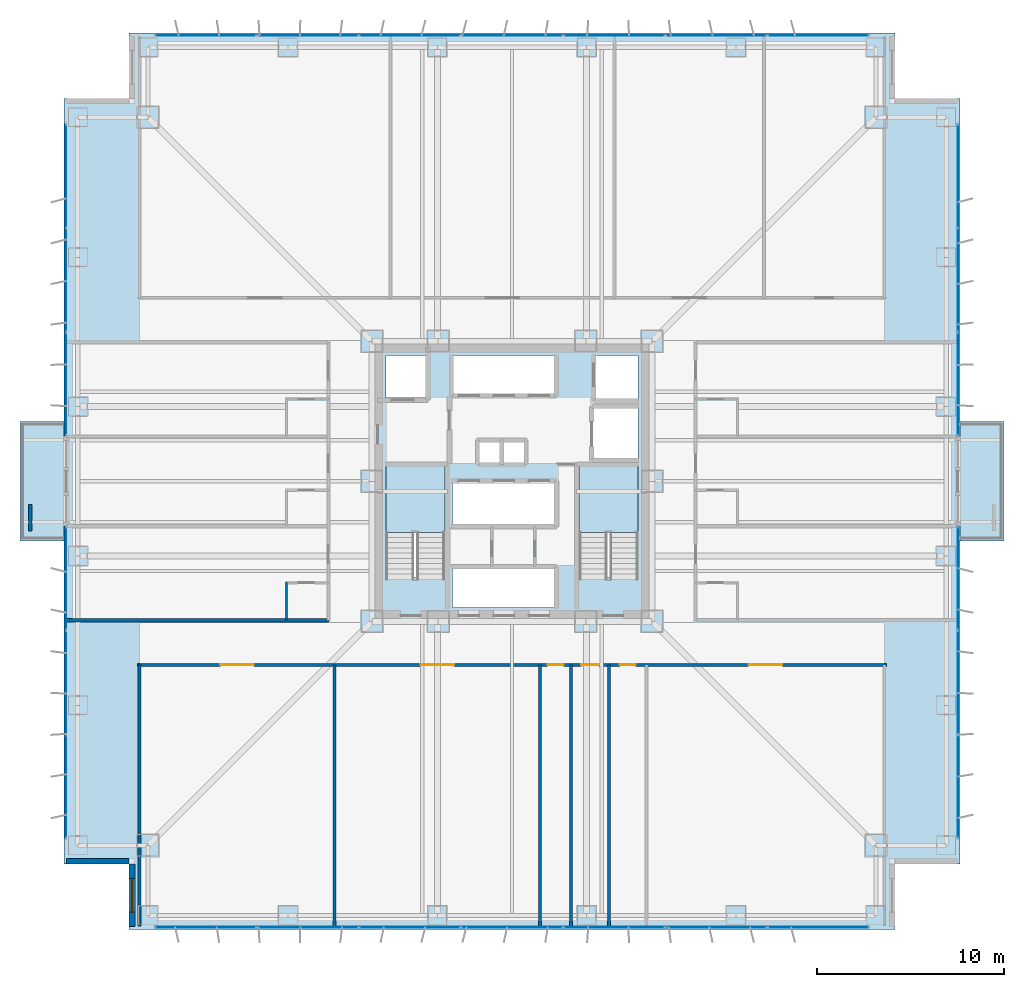
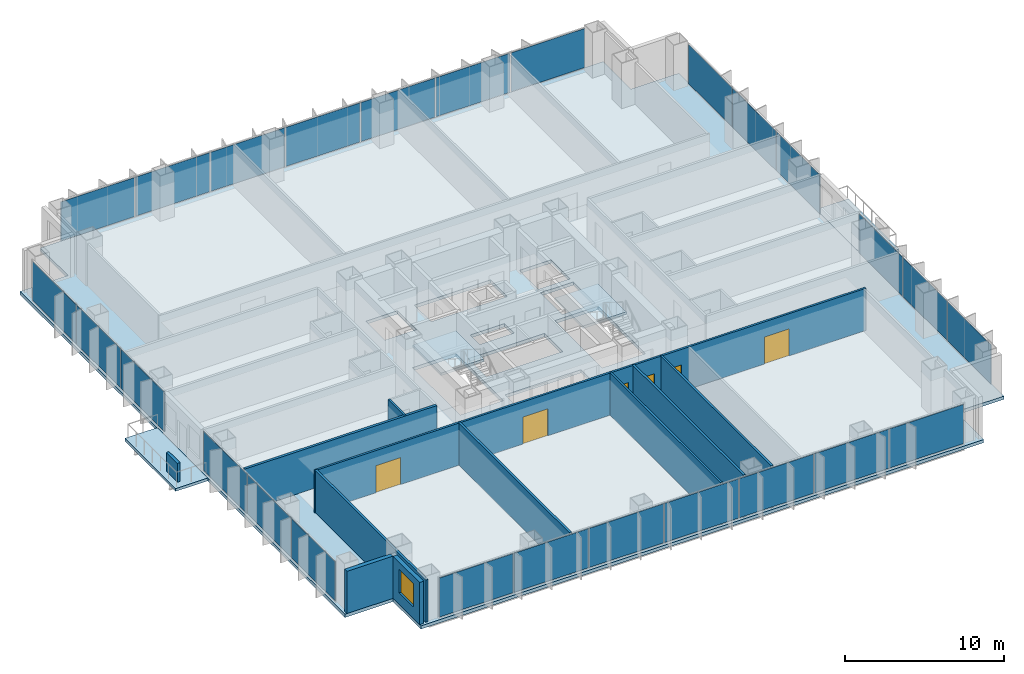
# One storey, part 10 of 16: 26 plates, 11 walls, 6 doors, 5 slabs, 1 window, 7 openings, 8 elements without a shape of their own.
"""IFC4 building model written with IfcOpenShell, lengths in metres."""

from ifc_helpers import new_model, si_unit, direction, frame, frame_2d, origin, origin_2d, place, context, subcontext, project, spatial, polyline, rectangle, outline, extrude, material, layer, layer_set, type_object, element, fill, aggregate, save


model = new_model("IFC4")

# Units and contexts
model_context = context("Model", 3, precision=1e-05, world=origin(), true_north=direction((0.0, 1.0)))
body_context = subcontext(model_context, "Body", "Model", "MODEL_VIEW")
ifc_project = project(units=[si_unit("LENGTHUNIT", "METRE"), si_unit("AREAUNIT", "SQUARE_METRE"), si_unit("VOLUMEUNIT", "CUBIC_METRE"), si_unit("PLANEANGLEUNIT", "RADIAN"), si_unit("MASSUNIT", "GRAM", prefix="KILO")], contexts=[model_context])

# Site, building, storey
site_placement = place(None, origin())
site = spatial("IfcSite", under=ifc_project, at=site_placement, CompositionType="ELEMENT")
building_placement = place(site_placement, origin())
building = spatial("IfcBuilding", under=site, at=building_placement, Name="Trevonay Congress Spire", CompositionType="ELEMENT")
storey_placement = place(building_placement, frame((0.0, 0.0, 48.0)))
storey = spatial("IfcBuildingStorey", under=building, at=storey_placement, Name="L11", CompositionType="ELEMENT", Elevation=48.0)

# Curtain wall, plates
ifc_material_1 = material(Name="Pale Anodised Aluminium EN AW-6063-T6", Category="aluminium")
ifc_layer_1 = layer(ifc_material_1, 0.179931640625, Name="Pale Anodised Aluminium EN AW-6063-T6")
ifc_layer_set_1 = layer_set([ifc_layer_1], Name="Pale Anodised Aluminium EN AW-6063-T6")
curtain_wall_type = type_object("IfcCurtainWallType", Name="CW-SYS02-HOTEL-PALE-METAL", PredefinedType="NOTDEFINED", material=ifc_layer_set_1)
curtain_wall_1_placement = place(storey_placement, origin())
curtain_wall_1 = element("IfcCurtainWall", 1, at=curtain_wall_1_placement, inside=storey, type_object=curtain_wall_type, Name="L11 S unitised curtain wall", PredefinedType="NOTDEFINED")
ifc_material_2 = material(Name="Insulated Low-E Vision Glass IGU", Category="glass")
ifc_layer_2 = layer(ifc_material_2, 0.035888671875, Name="Insulated Low-E Vision Glass IGU")
ifc_layer_set_2 = layer_set([ifc_layer_2], Name="Insulated Low-E Vision Glass IGU")
plate_type = type_object("IfcPlateType", Name="CW-PANEL-IGU36-SILVER", PredefinedType="CURTAIN_PANEL", material=ifc_layer_set_2)
plate_1_placement = place(storey_placement, frame((-16.399169921875, -23.8798828125, 0.1201171875), z_axis=(0.0, 0.0, 1.0), x_axis=(1.0, 0.0, 0.0)))
plate_1 = element("IfcPlate", 2, at=plate_1_placement, type_object=plate_type, Name="CW02 panel 1.1", PredefinedType="CURTAIN_PANEL", context=body_context, shape_type="SweptSolid", body=[
    extrude(rectangle(XDim=5.38134765625, YDim=0.035888671875, at=origin_2d()), origin(), (0.0, 0.0, 1.0), 3.010009765625),
])
plate_2_placement = place(storey_placement, frame((-10.94287109375, -23.8798828125, 0.1201171875), z_axis=(0.0, 0.0, 1.0), x_axis=(1.0, 0.0, 0.0)))
plate_2 = element("IfcPlate", 3, at=plate_2_placement, type_object=plate_type, Name="CW02 panel 2.1", PredefinedType="CURTAIN_PANEL", context=body_context, shape_type="SweptSolid", body=[
    extrude(rectangle(XDim=5.411376953125, YDim=0.035888671875, at=origin_2d()), origin(), (0.0, 0.0, 1.0), 3.010009765625),
])
plate_3_placement = place(storey_placement, frame((-5.471435546875, -23.8798828125, 0.1201171875), z_axis=(0.0, 0.0, 1.0), x_axis=(1.0, 0.0, 0.0)))
plate_3 = element("IfcPlate", 4, at=plate_3_placement, type_object=plate_type, Name="CW02 panel 3.1", PredefinedType="CURTAIN_PANEL", context=body_context, shape_type="SweptSolid", body=[
    extrude(rectangle(XDim=5.411376953125, YDim=0.035888671875, at=origin_2d()), origin(), (0.0, 0.0, 1.0), 3.010009765625),
])
plate_4_placement = place(storey_placement, frame((0.0, -23.8798828125, 0.1201171875), z_axis=(0.0, 0.0, 1.0), x_axis=(1.0, 0.0, 0.0)))
plate_4 = element("IfcPlate", 5, at=plate_4_placement, type_object=plate_type, Name="CW02 panel 4.1", PredefinedType="CURTAIN_PANEL", context=body_context, shape_type="SweptSolid", body=[
    extrude(rectangle(XDim=5.411376953125, YDim=0.035888671875, at=origin_2d()), origin(), (0.0, 0.0, 1.0), 3.010009765625),
])
plate_5_placement = place(storey_placement, frame((5.471435546875, -23.8798828125, 0.1201171875), z_axis=(0.0, 0.0, 1.0), x_axis=(1.0, 0.0, 0.0)))
plate_5 = element("IfcPlate", 6, at=plate_5_placement, type_object=plate_type, Name="CW02 panel 5.1", PredefinedType="CURTAIN_PANEL", context=body_context, shape_type="SweptSolid", body=[
    extrude(rectangle(XDim=5.411376953125, YDim=0.035888671875, at=origin_2d()), origin(), (0.0, 0.0, 1.0), 3.010009765625),
])
plate_6_placement = place(storey_placement, frame((10.94287109375, -23.8798828125, 0.1201171875), z_axis=(0.0, 0.0, 1.0), x_axis=(1.0, 0.0, 0.0)))
plate_6 = element("IfcPlate", 7, at=plate_6_placement, type_object=plate_type, Name="CW02 panel 6.1", PredefinedType="CURTAIN_PANEL", context=body_context, shape_type="SweptSolid", body=[
    extrude(rectangle(XDim=5.411376953125, YDim=0.035888671875, at=origin_2d()), origin(), (0.0, 0.0, 1.0), 3.010009765625),
])
plate_7_placement = place(storey_placement, frame((16.399169921875, -23.8798828125, 0.1201171875), z_axis=(0.0, 0.0, 1.0), x_axis=(1.0, 0.0, 0.0)))
plate_7 = element("IfcPlate", 8, at=plate_7_placement, type_object=plate_type, Name="CW02 panel 7.1", PredefinedType="CURTAIN_PANEL", context=body_context, shape_type="SweptSolid", body=[
    extrude(rectangle(XDim=5.38134765625, YDim=0.035888671875, at=origin_2d()), origin(), (0.0, 0.0, 1.0), 3.010009765625),
])
aggregate(curtain_wall_1, [plate_1, plate_2, plate_3, plate_4, plate_5, plate_6, plate_7])

curtain_wall_2_placement = place(storey_placement, origin())
curtain_wall_2 = element("IfcCurtainWall", 9, at=curtain_wall_2_placement, inside=storey, type_object=curtain_wall_type, Name="L11 N unitised curtain wall", PredefinedType="NOTDEFINED")
plate_8_placement = place(storey_placement, frame((-16.399169921875, 23.8798828125, 0.1201171875), z_axis=(0.0, 0.0, 1.0), x_axis=(1.0, 0.0, 0.0)))
plate_8 = element("IfcPlate", 10, at=plate_8_placement, type_object=plate_type, Name="CW02 panel 1.1", PredefinedType="CURTAIN_PANEL", context=body_context, shape_type="SweptSolid", body=[
    extrude(rectangle(XDim=5.38134765625, YDim=0.035888671875, at=origin_2d()), origin(), (0.0, 0.0, 1.0), 3.010009765625),
])
plate_9_placement = place(storey_placement, frame((-10.94287109375, 23.8798828125, 0.1201171875), z_axis=(0.0, 0.0, 1.0), x_axis=(1.0, 0.0, 0.0)))
plate_9 = element("IfcPlate", 11, at=plate_9_placement, type_object=plate_type, Name="CW02 panel 2.1", PredefinedType="CURTAIN_PANEL", context=body_context, shape_type="SweptSolid", body=[
    extrude(rectangle(XDim=5.411376953125, YDim=0.035888671875, at=origin_2d()), origin(), (0.0, 0.0, 1.0), 3.010009765625),
])
plate_10_placement = place(storey_placement, frame((-5.471435546875, 23.8798828125, 0.1201171875), z_axis=(0.0, 0.0, 1.0), x_axis=(1.0, 0.0, 0.0)))
plate_10 = element("IfcPlate", 12, at=plate_10_placement, type_object=plate_type, Name="CW02 panel 3.1", PredefinedType="CURTAIN_PANEL", context=body_context, shape_type="SweptSolid", body=[
    extrude(rectangle(XDim=5.411376953125, YDim=0.035888671875, at=origin_2d()), origin(), (0.0, 0.0, 1.0), 3.010009765625),
])
plate_11_placement = place(storey_placement, frame((0.0, 23.8798828125, 0.1201171875), z_axis=(0.0, 0.0, 1.0), x_axis=(1.0, 0.0, 0.0)))
plate_11 = element("IfcPlate", 13, at=plate_11_placement, type_object=plate_type, Name="CW02 panel 4.1", PredefinedType="CURTAIN_PANEL", context=body_context, shape_type="SweptSolid", body=[
    extrude(rectangle(XDim=5.411376953125, YDim=0.035888671875, at=origin_2d()), origin(), (0.0, 0.0, 1.0), 3.010009765625),
])
plate_12_placement = place(storey_placement, frame((5.471435546875, 23.8798828125, 0.1201171875), z_axis=(0.0, 0.0, 1.0), x_axis=(1.0, 0.0, 0.0)))
plate_12 = element("IfcPlate", 14, at=plate_12_placement, type_object=plate_type, Name="CW02 panel 5.1", PredefinedType="CURTAIN_PANEL", context=body_context, shape_type="SweptSolid", body=[
    extrude(rectangle(XDim=5.411376953125, YDim=0.035888671875, at=origin_2d()), origin(), (0.0, 0.0, 1.0), 3.010009765625),
])
plate_13_placement = place(storey_placement, frame((10.94287109375, 23.8798828125, 0.1201171875), z_axis=(0.0, 0.0, 1.0), x_axis=(1.0, 0.0, 0.0)))
plate_13 = element("IfcPlate", 15, at=plate_13_placement, type_object=plate_type, Name="CW02 panel 6.1", PredefinedType="CURTAIN_PANEL", context=body_context, shape_type="SweptSolid", body=[
    extrude(rectangle(XDim=5.411376953125, YDim=0.035888671875, at=origin_2d()), origin(), (0.0, 0.0, 1.0), 3.010009765625),
])
plate_14_placement = place(storey_placement, frame((16.399169921875, 23.8798828125, 0.1201171875), z_axis=(0.0, 0.0, 1.0), x_axis=(1.0, 0.0, 0.0)))
plate_14 = element("IfcPlate", 16, at=plate_14_placement, type_object=plate_type, Name="CW02 panel 7.1", PredefinedType="CURTAIN_PANEL", context=body_context, shape_type="SweptSolid", body=[
    extrude(rectangle(XDim=5.38134765625, YDim=0.035888671875, at=origin_2d()), origin(), (0.0, 0.0, 1.0), 3.010009765625),
])
aggregate(curtain_wall_2, [plate_8, plate_9, plate_10, plate_11, plate_12, plate_13, plate_14])

curtain_wall_3_placement = place(storey_placement, origin())
curtain_wall_3 = element("IfcCurtainWall", 17, at=curtain_wall_3_placement, inside=storey, type_object=curtain_wall_type, Name="L11 WA unitised curtain wall", PredefinedType="NOTDEFINED")
plate_15_placement = place(storey_placement, frame((-23.8798828125, -16.34326171875, 0.1201171875), z_axis=(0.0, 0.0, 1.0), x_axis=(0.0, 1.0, 0.0)))
plate_15 = element("IfcPlate", 18, at=plate_15_placement, type_object=plate_type, Name="CW02 panel 1.1", PredefinedType="CURTAIN_PANEL", context=body_context, shape_type="SweptSolid", body=[
    extrude(rectangle(XDim=5.493408203125, YDim=0.035888671875, at=origin_2d()), origin(), (0.0, 0.0, 1.0), 3.010009765625),
])
plate_16_placement = place(storey_placement, frame((-23.8798828125, -10.77490234375, 0.1201171875), z_axis=(0.0, 0.0, 1.0), x_axis=(0.0, 1.0, 0.0)))
plate_16 = element("IfcPlate", 19, at=plate_16_placement, type_object=plate_type, Name="CW02 panel 2.1", PredefinedType="CURTAIN_PANEL", context=body_context, shape_type="SweptSolid", body=[
    extrude(rectangle(XDim=5.5234375, YDim=0.035888671875, at=origin_2d()), origin(), (0.0, 0.0, 1.0), 3.010009765625),
])
plate_17_placement = place(storey_placement, frame((-23.8798828125, -5.206787109375, 0.1201171875), z_axis=(0.0, 0.0, 1.0), x_axis=(0.0, 1.0, 0.0)))
plate_17 = element("IfcPlate", 20, at=plate_17_placement, type_object=plate_type, Name="CW02 panel 3.1", PredefinedType="CURTAIN_PANEL", context=body_context, shape_type="SweptSolid", body=[
    extrude(rectangle(XDim=5.493408203125, YDim=0.035888671875, at=origin_2d()), origin(), (0.0, 0.0, 1.0), 3.010009765625),
])
aggregate(curtain_wall_3, [plate_15, plate_16, plate_17])

curtain_wall_4_placement = place(storey_placement, origin())
curtain_wall_4 = element("IfcCurtainWall", 21, at=curtain_wall_4_placement, inside=storey, type_object=curtain_wall_type, Name="L11 WB unitised curtain wall", PredefinedType="NOTDEFINED")
plate_18_placement = place(storey_placement, frame((-23.8798828125, 5.206787109375, 0.1201171875), z_axis=(0.0, 0.0, 1.0), x_axis=(0.0, 1.0, 0.0)))
plate_18 = element("IfcPlate", 22, at=plate_18_placement, type_object=plate_type, Name="CW02 panel 1.1", PredefinedType="CURTAIN_PANEL", context=body_context, shape_type="SweptSolid", body=[
    extrude(rectangle(XDim=5.493408203125, YDim=0.035888671875, at=origin_2d()), origin(), (0.0, 0.0, 1.0), 3.010009765625),
])
plate_19_placement = place(storey_placement, frame((-23.8798828125, 10.77490234375, 0.1201171875), z_axis=(0.0, 0.0, 1.0), x_axis=(0.0, 1.0, 0.0)))
plate_19 = element("IfcPlate", 23, at=plate_19_placement, type_object=plate_type, Name="CW02 panel 2.1", PredefinedType="CURTAIN_PANEL", context=body_context, shape_type="SweptSolid", body=[
    extrude(rectangle(XDim=5.5234375, YDim=0.035888671875, at=origin_2d()), origin(), (0.0, 0.0, 1.0), 3.010009765625),
])
plate_20_placement = place(storey_placement, frame((-23.8798828125, 16.34326171875, 0.1201171875), z_axis=(0.0, 0.0, 1.0), x_axis=(0.0, 1.0, 0.0)))
plate_20 = element("IfcPlate", 24, at=plate_20_placement, type_object=plate_type, Name="CW02 panel 3.1", PredefinedType="CURTAIN_PANEL", context=body_context, shape_type="SweptSolid", body=[
    extrude(rectangle(XDim=5.493408203125, YDim=0.035888671875, at=origin_2d()), origin(), (0.0, 0.0, 1.0), 3.010009765625),
])
aggregate(curtain_wall_4, [plate_18, plate_19, plate_20])

curtain_wall_5_placement = place(storey_placement, origin())
curtain_wall_5 = element("IfcCurtainWall", 25, at=curtain_wall_5_placement, inside=storey, type_object=curtain_wall_type, Name="L11 EA unitised curtain wall", PredefinedType="NOTDEFINED")
plate_21_placement = place(storey_placement, frame((23.8798828125, -16.34326171875, 0.1201171875), z_axis=(0.0, 0.0, 1.0), x_axis=(0.0, 1.0, 0.0)))
plate_21 = element("IfcPlate", 26, at=plate_21_placement, type_object=plate_type, Name="CW02 panel 1.1", PredefinedType="CURTAIN_PANEL", context=body_context, shape_type="SweptSolid", body=[
    extrude(rectangle(XDim=5.493408203125, YDim=0.035888671875, at=origin_2d()), origin(), (0.0, 0.0, 1.0), 3.010009765625),
])
plate_22_placement = place(storey_placement, frame((23.8798828125, -10.77490234375, 0.1201171875), z_axis=(0.0, 0.0, 1.0), x_axis=(0.0, 1.0, 0.0)))
plate_22 = element("IfcPlate", 27, at=plate_22_placement, type_object=plate_type, Name="CW02 panel 2.1", PredefinedType="CURTAIN_PANEL", context=body_context, shape_type="SweptSolid", body=[
    extrude(rectangle(XDim=5.5234375, YDim=0.035888671875, at=origin_2d()), origin(), (0.0, 0.0, 1.0), 3.010009765625),
])
plate_23_placement = place(storey_placement, frame((23.8798828125, -5.206787109375, 0.1201171875), z_axis=(0.0, 0.0, 1.0), x_axis=(0.0, 1.0, 0.0)))
plate_23 = element("IfcPlate", 28, at=plate_23_placement, type_object=plate_type, Name="CW02 panel 3.1", PredefinedType="CURTAIN_PANEL", context=body_context, shape_type="SweptSolid", body=[
    extrude(rectangle(XDim=5.493408203125, YDim=0.035888671875, at=origin_2d()), origin(), (0.0, 0.0, 1.0), 3.010009765625),
])
aggregate(curtain_wall_5, [plate_21, plate_22, plate_23])

curtain_wall_6_placement = place(storey_placement, origin())
curtain_wall_6 = element("IfcCurtainWall", 29, at=curtain_wall_6_placement, inside=storey, type_object=curtain_wall_type, Name="L11 EB unitised curtain wall", PredefinedType="NOTDEFINED")
plate_24_placement = place(storey_placement, frame((23.8798828125, 5.206787109375, 0.1201171875), z_axis=(0.0, 0.0, 1.0), x_axis=(0.0, 1.0, 0.0)))
plate_24 = element("IfcPlate", 30, at=plate_24_placement, type_object=plate_type, Name="CW02 panel 1.1", PredefinedType="CURTAIN_PANEL", context=body_context, shape_type="SweptSolid", body=[
    extrude(rectangle(XDim=5.493408203125, YDim=0.035888671875, at=origin_2d()), origin(), (0.0, 0.0, 1.0), 3.010009765625),
])
plate_25_placement = place(storey_placement, frame((23.8798828125, 10.77490234375, 0.1201171875), z_axis=(0.0, 0.0, 1.0), x_axis=(0.0, 1.0, 0.0)))
plate_25 = element("IfcPlate", 31, at=plate_25_placement, type_object=plate_type, Name="CW02 panel 2.1", PredefinedType="CURTAIN_PANEL", context=body_context, shape_type="SweptSolid", body=[
    extrude(rectangle(XDim=5.5234375, YDim=0.035888671875, at=origin_2d()), origin(), (0.0, 0.0, 1.0), 3.010009765625),
])
plate_26_placement = place(storey_placement, frame((23.8798828125, 16.34326171875, 0.1201171875), z_axis=(0.0, 0.0, 1.0), x_axis=(0.0, 1.0, 0.0)))
plate_26 = element("IfcPlate", 32, at=plate_26_placement, type_object=plate_type, Name="CW02 panel 3.1", PredefinedType="CURTAIN_PANEL", context=body_context, shape_type="SweptSolid", body=[
    extrude(rectangle(XDim=5.493408203125, YDim=0.035888671875, at=origin_2d()), origin(), (0.0, 0.0, 1.0), 3.010009765625),
])
aggregate(curtain_wall_6, [plate_24, plate_25, plate_26])

# Stair, slab
ifc_material_3 = material(Name="Concrete C40/50", Category="concrete")
stair_type_1 = type_object("IfcStairType", Name="STR-ST-1", PredefinedType="HALF_TURN_STAIR", material=ifc_material_3)
stair_1_placement = place(storey_placement, origin())
stair_1 = element("IfcStair", 33, at=stair_1_placement, inside=storey, type_object=stair_type_1, Name="L11 Protected Exit Stair ST-1", PredefinedType="HALF_TURN_STAIR")
ifc_layer_3 = layer(ifc_material_3, 0.199951171875, Name="Concrete C40/50")
ifc_layer_set_3 = layer_set([ifc_layer_3], Name="Concrete C40/50")
slab_type_1 = type_object("IfcSlabType", Name="SLB-STAIR-LAND-200", PredefinedType="LANDING", material=ifc_layer_set_3)
slab_1_placement = place(storey_placement, frame((0.0, 0.0, 1.550048828125)))
slab_1 = element("IfcSlab", 34, at=slab_1_placement, type_object=slab_type_1, Name="ST-1 landing 1", PredefinedType="LANDING", context=body_context, shape_type="SweptSolid", body=[
    extrude(outline(polyline([(-3.60009765625, -2.72998046875), (-3.60009765625, 0.85009765625), (-6.75, 0.85009765625), (-6.75, -2.72998046875), (-3.60009765625, -2.72998046875)])), origin(), (0.0, 0.0, 1.0), 0.199951171875),
])
aggregate(stair_1, [slab_1])

stair_type_2 = type_object("IfcStairType", Name="STR-ST-2", PredefinedType="HALF_TURN_STAIR", material=ifc_material_3)
stair_2_placement = place(storey_placement, origin())
stair_2 = element("IfcStair", 35, at=stair_2_placement, inside=storey, type_object=stair_type_2, Name="L11 Protected Exit Stair ST-2", PredefinedType="HALF_TURN_STAIR")
slab_2_placement = place(storey_placement, frame((0.0, 0.0, 1.550048828125)))
slab_2 = element("IfcSlab", 36, at=slab_2_placement, type_object=slab_type_1, Name="ST-2 landing 1", PredefinedType="LANDING", context=body_context, shape_type="SweptSolid", body=[
    extrude(outline(polyline([(6.75, -2.72998046875), (6.75, 0.85009765625), (3.60009765625, 0.85009765625), (3.60009765625, -2.72998046875), (6.75, -2.72998046875)])), origin(), (0.0, 0.0, 1.0), 0.199951171875),
])
aggregate(stair_2, [slab_2])

# Slabs
ifc_layer_4 = layer(ifc_material_3, 0.25, Name="Concrete C40/50")
ifc_layer_set_4 = layer_set([ifc_layer_4], Name="Concrete C40/50")
slab_type_2 = type_object("IfcSlabType", Name="SLB-TOW1-250", PredefinedType="FLOOR", material=ifc_layer_set_4)
slab_3_placement = place(storey_placement, frame((0.0, 0.0, -0.25)))
element("IfcSlab", 37, at=slab_3_placement, inside=storey, type_object=slab_type_2, Name="L11 structural floor slab", PredefinedType="FLOOR", context=body_context, shape_type="SweptSolid", body=[
    extrude(outline(polyline([(-20.5, -24.0), (20.5, -24.0), (20.5, -20.5), (24.0, -20.5), (24.0, 20.5), (20.5, 20.5), (20.5, 24.0), (-20.5, 24.0), (-20.5, 20.5), (-24.0, 20.5), (-24.0, -20.5), (-20.5, -20.5), (-20.5, -24.0)]), holes=[polyline([(-3.60009765625, -5.14990234375), (-3.60009765625, 0.85009765625), (-6.75, 0.85009765625), (-6.75, -5.14990234375), (-3.60009765625, -5.14990234375)]), polyline([(6.75, -5.14990234375), (6.75, 0.85009765625), (3.60009765625, 0.85009765625), (3.60009765625, -5.14990234375), (6.75, -5.14990234375)]), polyline([(-3.199951171875, -6.75), (2.340087890625, -6.75), (2.340087890625, -4.64990234375), (-3.199951171875, -4.64990234375), (-3.199951171875, -6.75)]), polyline([(-3.199951171875, -2.35009765625), (2.340087890625, -2.35009765625), (2.340087890625, -0.050048828125), (-3.199951171875, -0.050048828125), (-3.199951171875, -2.35009765625)]), polyline([(-3.199951171875, 4.64990234375), (2.340087890625, 4.64990234375), (2.340087890625, 6.75), (-3.199951171875, 6.75), (-3.199951171875, 4.64990234375)]), polyline([(-6.75, 4.35009765625), (-4.449951171875, 4.35009765625), (-4.449951171875, 6.75), (-6.75, 6.75), (-6.75, 4.35009765625)]), polyline([(4.449951171875, 4.35009765625), (6.75, 4.35009765625), (6.75, 6.75), (4.449951171875, 6.75), (4.449951171875, 4.35009765625)]), polyline([(4.35009765625, 1.199951171875), (6.75, 1.199951171875), (6.75, 3.949951171875), (4.35009765625, 3.949951171875), (4.35009765625, 1.199951171875)]), polyline([(-1.800048828125, 0.949951171875), (0.699951171875, 0.949951171875), (0.699951171875, 2.14990234375), (-1.800048828125, 2.14990234375), (-1.800048828125, 0.949951171875)])]), origin(), (0.0, 0.0, 1.0), 0.25),
])
ifc_layer_5 = layer(ifc_material_3, 0.2099609375, Name="Concrete C40/50")
ifc_layer_set_5 = layer_set([ifc_layer_5], Name="Concrete C40/50")
slab_type_3 = type_object("IfcSlabType", Name="SLB-TREEBAL-210", PredefinedType="FLOOR", material=ifc_layer_set_5)
slab_4_placement = place(storey_placement, frame((0.0, 0.0, -0.2099609375)))
element("IfcSlab", 38, at=slab_4_placement, inside=storey, type_object=slab_type_3, Name="L11 cantilevered tree-planter balcony pod E", PredefinedType="FLOOR", context=body_context, shape_type="SweptSolid", body=[
    extrude(outline(polyline([(24.0, -3.199951171875), (26.35009765625, -3.199951171875), (26.35009765625, 3.199951171875), (24.0, 3.199951171875), (24.0, -3.199951171875)])), origin(), (0.0, 0.0, 1.0), 0.2099609375),
])
slab_5_placement = place(storey_placement, frame((0.0, 0.0, -0.2099609375)))
element("IfcSlab", 39, at=slab_5_placement, inside=storey, type_object=slab_type_3, Name="L11 cantilevered tree-planter balcony pod W", PredefinedType="FLOOR", context=body_context, shape_type="SweptSolid", body=[
    extrude(outline(polyline([(-26.35009765625, -3.199951171875), (-24.0, -3.199951171875), (-24.0, 3.199951171875), (-26.35009765625, 3.199951171875), (-26.35009765625, -3.199951171875)])), origin(), (0.0, 0.0, 1.0), 0.2099609375),
])

# Wall
ifc_layer_6 = layer(ifc_material_3, 0.1201171875, Name="Concrete C40/50")
ifc_layer_set_6 = layer_set([ifc_layer_6], Name="Concrete C40/50")
wall_type_1 = type_object("IfcWallType", Name="WAL-BATH-120", PredefinedType="PLUMBINGWALL", material=ifc_layer_set_6)
wall_1_placement = place(storey_placement, frame((-12.080078125, -7.419921875, 0.0), z_axis=(0.0, 0.0, 1.0), x_axis=(0.0, 1.0, 0.0)))
element("IfcWall", 40, at=wall_1_placement, inside=storey, type_object=wall_type_1, Name="L11 interior wall WH-L11W-BF1", PredefinedType="PLUMBINGWALL", context=body_context, shape_type="SweptSolid", body=[
    extrude(rectangle(XDim=2.0078125, YDim=0.1201171875, at=frame_2d((1.00390625, 0.0))), origin(), (0.0, 0.0, 1.0), 3.25),
])

# Wall, openings, doors
ifc_layer_7 = layer(ifc_material_3, 0.14990234375, Name="Concrete C40/50")
ifc_layer_set_7 = layer_set([ifc_layer_7], Name="Concrete C40/50")
wall_type_2 = type_object("IfcWallType", Name="WAL-CORR-150", PredefinedType="PARTITIONING", material=ifc_layer_set_7)
wall_2_placement = place(storey_placement, frame((-20.070068359375, -9.830078125, 0.0), z_axis=(0.0, 0.0, 1.0), x_axis=(1.0, 0.0, 0.0)))
wall_2 = element("IfcWall", 41, at=wall_2_placement, inside=storey, type_object=wall_type_2, Name="L11 interior wall WP-L11S-COR", PredefinedType="PARTITIONING", context=body_context, shape_type="SweptSolid", body=[
    extrude(rectangle(XDim=40.14013671875, YDim=0.14990234375, at=frame_2d((20.070068359375, 0.0))), origin(), (0.0, 0.0, 1.0), 3.25),
])
opening_1_placement = place(wall_2_placement, frame((4.445068359375, 0.0, 0.0)))
opening_1 = element("IfcOpeningElement", 42, at=opening_1_placement, cuts=wall_2, Name="Opening D09", PredefinedType="OPENING", context=body_context, shape_type="SweptSolid", body=[
    extrude(rectangle(XDim=1.800048828125, YDim=2.080078125, at=frame_2d((0.89990234375, 1.0400390625))), frame((0.0, 0.0849609375, 0.0), z_axis=(0.0, -1.0, 0.0), x_axis=(1.0, 0.0, 0.0)), (0.0, 0.0, 1.0), 0.169921875),
])
opening_2_placement = place(wall_2_placement, frame((15.169921875, 0.0, 0.0)))
opening_2 = element("IfcOpeningElement", 43, at=opening_2_placement, cuts=wall_2, Name="Opening D09", PredefinedType="OPENING", context=body_context, shape_type="SweptSolid", body=[
    extrude(rectangle(XDim=1.800048828125, YDim=2.080078125, at=frame_2d((0.89990234375, 1.0400390625))), frame((0.0, 0.0849609375, 0.0), z_axis=(0.0, -1.0, 0.0), x_axis=(1.0, 0.0, 0.0)), (0.0, 0.0, 1.0), 0.169921875),
])
opening_3_placement = place(wall_2_placement, frame((21.97998046875, 0.0, 0.0)))
opening_3 = element("IfcOpeningElement", 44, at=opening_3_placement, cuts=wall_2, Name="Opening D10", PredefinedType="OPENING", context=body_context, shape_type="SweptSolid", body=[
    extrude(rectangle(XDim=0.85009765625, YDim=2.050048828125, at=frame_2d((0.425048828125, 1.02490234375))), frame((0.0, 0.0849609375, 0.0), z_axis=(0.0, -1.0, 0.0), x_axis=(1.0, 0.0, 0.0)), (0.0, 0.0, 1.0), 0.169921875),
])
opening_4_placement = place(wall_2_placement, frame((23.780029296875, 0.0, 0.0)))
opening_4 = element("IfcOpeningElement", 45, at=opening_4_placement, cuts=wall_2, Name="Opening D07", PredefinedType="OPENING", context=body_context, shape_type="SweptSolid", body=[
    extrude(rectangle(XDim=0.949951171875, YDim=2.06005859375, at=frame_2d((0.47509765625, 1.030029296875))), frame((0.0, 0.0849609375, 0.0), z_axis=(0.0, -1.0, 0.0), x_axis=(1.0, 0.0, 0.0)), (0.0, 0.0, 1.0), 0.169921875),
])
opening_5_placement = place(wall_2_placement, frame((25.844970703125, 0.0, 0.0)))
opening_5 = element("IfcOpeningElement", 46, at=opening_5_placement, cuts=wall_2, Name="Opening D10", PredefinedType="OPENING", context=body_context, shape_type="SweptSolid", body=[
    extrude(rectangle(XDim=0.85009765625, YDim=2.050048828125, at=frame_2d((0.425048828125, 1.02490234375))), frame((0.0, 0.0849609375, 0.0), z_axis=(0.0, -1.0, 0.0), x_axis=(1.0, 0.0, 0.0)), (0.0, 0.0, 1.0), 0.169921875),
])
opening_6_placement = place(wall_2_placement, frame((32.7451171875, 0.0, 0.0)))
opening_6 = element("IfcOpeningElement", 47, at=opening_6_placement, cuts=wall_2, Name="Opening D09", PredefinedType="OPENING", context=body_context, shape_type="SweptSolid", body=[
    extrude(rectangle(XDim=1.800048828125, YDim=2.080078125, at=frame_2d((0.89990234375, 1.0400390625))), frame((0.0, 0.0849609375, 0.0), z_axis=(0.0, -1.0, 0.0), x_axis=(1.0, 0.0, 0.0)), (0.0, 0.0, 1.0), 0.169921875),
])
door_type_1 = type_object("IfcDoorType", Name="DOR-CONF-DBL", OperationType="DOUBLE_DOOR_SINGLE_SWING", PredefinedType="DOOR", material=ifc_material_1)
door_1_placement = place(opening_1_placement, origin())
door_1 = element("IfcDoor", 48, at=door_1_placement, inside=storey, type_object=door_type_1, Name="L11 Thermal Hydrotherapy Spa Lounge Door", OperationType="DOUBLE_DOOR_SINGLE_SWING", OverallHeight=2.080078125, OverallWidth=1.800048828125, PredefinedType="DOOR", context=body_context, shape_type="SweptSolid", body=[
    extrude(rectangle(XDim=1.800048828125, YDim=2.080078125, at=frame_2d((0.89990234375, 1.0400390625))), frame((0.0, 0.02490234375, 0.0), z_axis=(0.0, -1.0, 0.0), x_axis=(1.0, 0.0, 0.0)), (0.0, 0.0, 1.0), 0.050048828125),
])
fill(opening_1, door_1)
door_2_placement = place(opening_2_placement, origin())
door_2 = element("IfcDoor", 49, at=door_2_placement, inside=storey, type_object=door_type_1, Name="L11 Wellness Yoga and Pilates Lounge Door", OperationType="DOUBLE_DOOR_SINGLE_SWING", OverallHeight=2.080078125, OverallWidth=1.800048828125, PredefinedType="DOOR", context=body_context, shape_type="SweptSolid", body=[
    extrude(rectangle(XDim=1.800048828125, YDim=2.080078125, at=frame_2d((0.89990234375, 1.0400390625))), frame((0.0, 0.02490234375, 0.0), z_axis=(0.0, -1.0, 0.0), x_axis=(1.0, 0.0, 0.0)), (0.0, 0.0, 1.0), 0.050048828125),
])
fill(opening_2, door_2)
door_3_placement = place(opening_6_placement, origin())
door_3 = element("IfcDoor", 50, at=door_3_placement, inside=storey, type_object=door_type_1, Name="L11 Poolside Juice Bar Door", OperationType="DOUBLE_DOOR_SINGLE_SWING", OverallHeight=2.080078125, OverallWidth=1.800048828125, PredefinedType="DOOR", context=body_context, shape_type="SweptSolid", body=[
    extrude(rectangle(XDim=1.800048828125, YDim=2.080078125, at=frame_2d((0.89990234375, 1.0400390625))), frame((0.0, 0.02490234375, 0.0), z_axis=(0.0, -1.0, 0.0), x_axis=(1.0, 0.0, 0.0)), (0.0, 0.0, 1.0), 0.050048828125),
])
fill(opening_6, door_3)
door_type_2 = type_object("IfcDoorType", Name="DOR-OFFICE-95", OperationType="NOTDEFINED", PredefinedType="DOOR", material=ifc_material_1)
door_4_placement = place(opening_4_placement, origin())
door_4 = element("IfcDoor", 51, at=door_4_placement, inside=storey, type_object=door_type_2, Name="L11 Floor Supplies and Copy Room Door", OperationType="SINGLE_SWING_RIGHT", OverallHeight=2.06005859375, OverallWidth=0.949951171875, PredefinedType="DOOR", context=body_context, shape_type="SweptSolid", body=[
    extrude(rectangle(XDim=0.949951171875, YDim=2.06005859375, at=frame_2d((0.47509765625, 1.030029296875))), frame((0.0, 0.02490234375, 0.0), z_axis=(0.0, -1.0, 0.0), x_axis=(1.0, 0.0, 0.0)), (0.0, 0.0, 1.0), 0.050048828125),
])
fill(opening_4, door_4)
door_type_3 = type_object("IfcDoorType", Name="DOR-WC-85", OperationType="NOTDEFINED", PredefinedType="DOOR", material=ifc_material_1)
door_5_placement = place(opening_3_placement, origin())
door_5 = element("IfcDoor", 52, at=door_5_placement, inside=storey, type_object=door_type_3, Name="L11 Spa Changing Restroom WC Door", OperationType="SINGLE_SWING_LEFT", OverallHeight=2.050048828125, OverallWidth=0.85009765625, PredefinedType="DOOR", context=body_context, shape_type="SweptSolid", body=[
    extrude(rectangle(XDim=0.85009765625, YDim=2.050048828125, at=frame_2d((0.425048828125, 1.02490234375))), frame((0.0, 0.02490234375, 0.0), z_axis=(0.0, -1.0, 0.0), x_axis=(1.0, 0.0, 0.0)), (0.0, 0.0, 1.0), 0.050048828125),
])
fill(opening_3, door_5)
door_6_placement = place(opening_5_placement, origin())
door_6 = element("IfcDoor", 53, at=door_6_placement, inside=storey, type_object=door_type_3, Name="L11 Accessible WC Door", OperationType="SINGLE_SWING_LEFT", OverallHeight=2.050048828125, OverallWidth=0.85009765625, PredefinedType="DOOR", context=body_context, shape_type="SweptSolid", body=[
    extrude(rectangle(XDim=0.85009765625, YDim=2.050048828125, at=frame_2d((0.425048828125, 1.02490234375))), frame((0.0, 0.02490234375, 0.0), z_axis=(0.0, -1.0, 0.0), x_axis=(1.0, 0.0, 0.0)), (0.0, 0.0, 1.0), 0.050048828125),
])
fill(opening_5, door_6)

# Wall, opening, window
ifc_material_4 = material(Name="Precast concrete C40/50", Category="concrete")
ifc_layer_8 = layer(ifc_material_4, 0.300048828125, Name="Precast concrete C40/50")
ifc_layer_set_8 = layer_set([ifc_layer_8], Name="Precast concrete C40/50")
wall_type_3 = type_object("IfcWallType", Name="WAL-EXT-PRECAST-300", PredefinedType="SOLIDWALL", material=ifc_layer_set_8)
wall_3_placement = place(storey_placement, frame((-20.35009765625, -23.85009765625, 0.0), z_axis=(0.0, 0.0, 1.0), x_axis=(0.0, 1.0, 0.0)))
wall_3 = element("IfcWall", 54, at=wall_3_placement, inside=storey, type_object=wall_type_3, Name="L11 SW re-entrant notch exterior wall 1", PredefinedType="SOLIDWALL", context=body_context, shape_type="SweptSolid", body=[
    extrude(rectangle(XDim=3.35009765625, YDim=0.300048828125, at=frame_2d((1.675048828125, 0.0))), origin(), (0.0, 0.0, 1.0), 3.25),
])
opening_7_placement = place(wall_3_placement, frame((0.77490234375, 0.0, 0.89990234375)))
opening_7 = element("IfcOpeningElement", 55, at=opening_7_placement, cuts=wall_3, Name="Opening WN01", PredefinedType="OPENING", context=body_context, shape_type="SweptSolid", body=[
    extrude(rectangle(XDim=1.800048828125, YDim=1.800048828125, at=frame_2d((0.89990234375, 0.89990234375))), frame((0.0, 0.16015625, 0.0), z_axis=(0.0, -1.0, 0.0), x_axis=(1.0, 0.0, 0.0)), (0.0, 0.0, 1.0), 0.320068359375),
])
window_type = type_object("IfcWindowType", Name="WIN-HOTEL-180X180", PartitioningType="SINGLE_PANEL", PredefinedType="WINDOW", material=ifc_material_2)
window_placement = place(opening_7_placement, origin())
window = element("IfcWindow", 56, at=window_placement, inside=storey, type_object=window_type, Name="L11 SW corner notch window", OverallHeight=1.800048828125, OverallWidth=1.800048828125, PartitioningType="SINGLE_PANEL", PredefinedType="WINDOW", context=body_context, shape_type="SweptSolid", body=[
    extrude(rectangle(XDim=1.800048828125, YDim=1.800048828125, at=frame_2d((0.89990234375, 0.89990234375))), frame((0.0, 0.030029296875, 0.0), z_axis=(0.0, -1.0, 0.0), x_axis=(1.0, 0.0, 0.0)), (0.0, 0.0, 1.0), 0.06005859375),
])
fill(opening_7, window)

# Walls
wall_4_placement = place(storey_placement, frame((-23.85009765625, -20.35009765625, 0.0), z_axis=(0.0, 0.0, 1.0), x_axis=(1.0, 0.0, 0.0)))
element("IfcWall", 57, at=wall_4_placement, inside=storey, type_object=wall_type_3, Name="L11 SW re-entrant notch exterior wall 2", PredefinedType="SOLIDWALL", context=body_context, shape_type="SweptSolid", body=[
    extrude(rectangle(XDim=3.35009765625, YDim=0.300048828125, at=frame_2d((1.675048828125, 0.0))), origin(), (0.0, 0.0, 1.0), 3.25),
])
ifc_layer_9 = layer(ifc_material_3, 0.179931640625, Name="Concrete C40/50")
ifc_layer_set_9 = layer_set([ifc_layer_9], Name="Concrete C40/50")
wall_type_4 = type_object("IfcWallType", Name="WAL-HOTEL-180", PredefinedType="PARTITIONING", material=ifc_layer_set_9)
wall_5_placement = place(storey_placement, frame((-23.820068359375, -7.449951171875, 0.0), z_axis=(0.0, 0.0, 1.0), x_axis=(1.0, 0.0, 0.0)))
element("IfcWall", 58, at=wall_5_placement, inside=storey, type_object=wall_type_4, Name="L11 interior wall WH-L11W-DIV1", PredefinedType="PARTITIONING", context=body_context, shape_type="SweptSolid", body=[
    extrude(rectangle(XDim=13.989990234375, YDim=0.179931640625, at=frame_2d((6.9951171875, 0.0))), origin(), (0.0, 0.0, 1.0), 3.25),
])
ifc_layer_10 = layer(ifc_material_3, 0.14990234375, Name="Concrete C40/50")
ifc_layer_set_10 = layer_set([ifc_layer_10], Name="Concrete C40/50")
wall_type_5 = type_object("IfcWallType", Name="WAL-PART-150", PredefinedType="PARTITIONING", material=ifc_layer_set_10)
for number, where, z_axis, x_axis, name in (
    (59, (1.5, -23.820068359375, 0.0), (0.0, 0.0, 1.0), (0.0, 1.0, 0.0), "L11 interior wall WP-L11S-DIV3"),
    (60, (5.199951171875, -23.820068359375, 0.0), (0.0, 0.0, 1.0), (0.0, 1.0, 0.0), "L11 interior wall WP-L11S-DIV4"),
):
    element("IfcWall", number, at=place(storey_placement, frame(where, z_axis=z_axis, x_axis=x_axis)), inside=storey, type_object=wall_type_5, Name=name, PredefinedType="PARTITIONING", context=body_context, shape_type="SweptSolid", body=[
        extrude(rectangle(XDim=13.989990234375, YDim=0.14990234375, at=frame_2d((6.9951171875, 0.0))), origin(), (0.0, 0.0, 1.0), 3.25),
    ])
ifc_layer_11 = layer(ifc_material_4, 0.199951171875, Name="Precast concrete C40/50")
ifc_layer_set_11 = layer_set([ifc_layer_11], Name="Precast concrete C40/50")
wall_type_6 = type_object("IfcWallType", Name="WAL-TREE-PLANTER-200", PredefinedType="PARAPET", material=ifc_layer_set_11)
wall_6_placement = place(storey_placement, frame((-25.800048828125, -2.64990234375, 0.0), z_axis=(0.0, 0.0, 1.0), x_axis=(0.0, 1.0, 0.0)))
element("IfcWall", 61, at=wall_6_placement, inside=storey, type_object=wall_type_6, Name="L11 W cantilevered balcony tree planter box", PredefinedType="PARAPET", context=body_context, shape_type="SweptSolid", body=[
    extrude(rectangle(XDim=1.39990234375, YDim=0.199951171875, at=frame_2d((0.699951171875, 0.0))), origin(), (0.0, 0.0, 1.0), 1.449951171875),
])
ifc_layer_12 = layer(ifc_material_3, 0.1650390625, Name="Concrete C40/50")
ifc_layer_set_12 = layer_set([ifc_layer_12], Name="Concrete C40/50")
wall_type_7 = type_object("IfcWallType", Name="WAL-WET-165", PredefinedType="PLUMBINGWALL", material=ifc_layer_set_12)
for number, where, z_axis, x_axis, name in (
    (62, (3.169921875, -23.820068359375, 0.0), (0.0, 0.0, 1.0), (0.0, 1.0, 0.0), "L11 interior wall WP-L11S-WCS3"),
    (63, (-19.949951171875, -23.820068359375, 0.0), (0.0, 0.0, 1.0), (0.0, 1.0, 0.0), "L11 interior wall WP-L11S-DIV1"),
    (64, (-9.5, -23.820068359375, 0.0), (0.0, 0.0, 1.0), (0.0, 1.0, 0.0), "L11 interior wall WP-L11S-DIV2"),
):
    element("IfcWall", number, at=place(storey_placement, frame(where, z_axis=z_axis, x_axis=x_axis)), inside=storey, type_object=wall_type_7, Name=name, PredefinedType="PLUMBINGWALL", context=body_context, shape_type="SweptSolid", body=[
        extrude(rectangle(XDim=13.989990234375, YDim=0.1650390625, at=frame_2d((6.9951171875, 0.0))), origin(), (0.0, 0.0, 1.0), 3.25),
    ])

save(model, "model.ifc")
